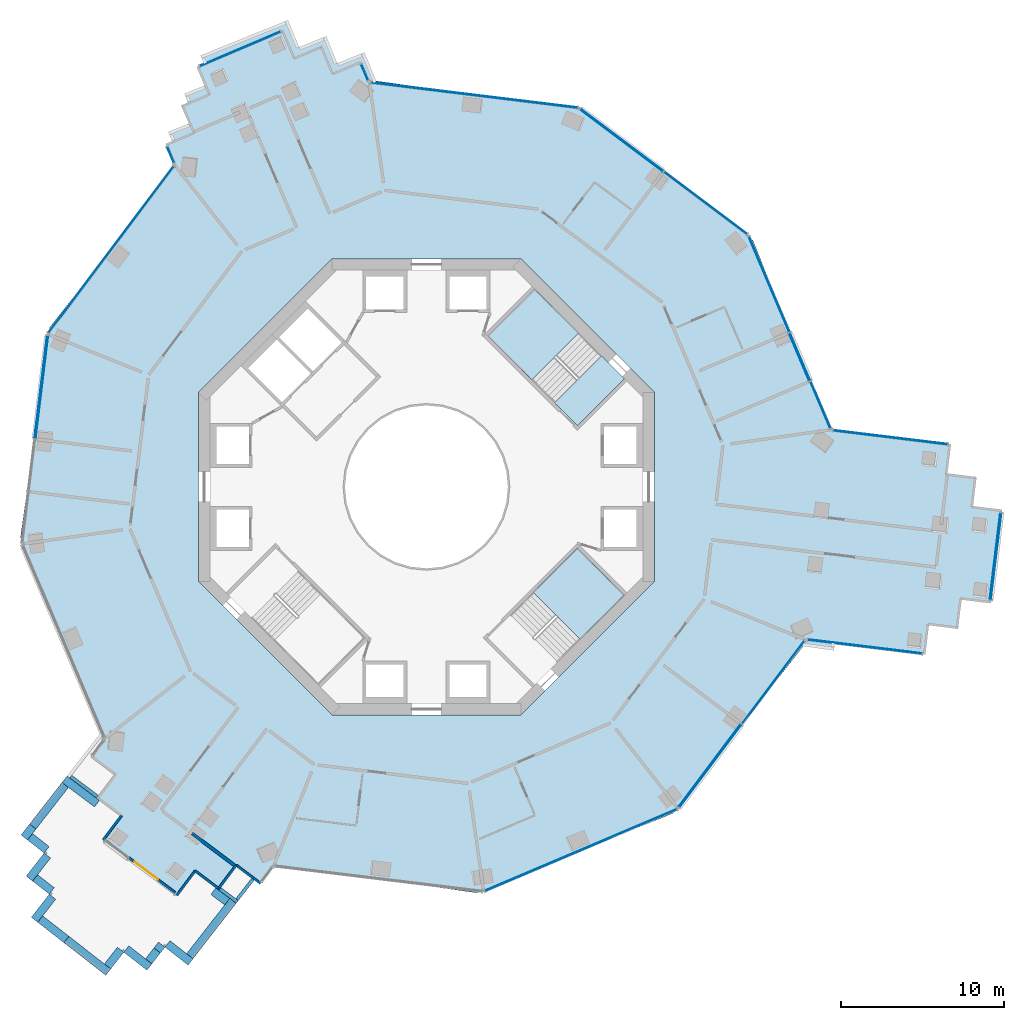
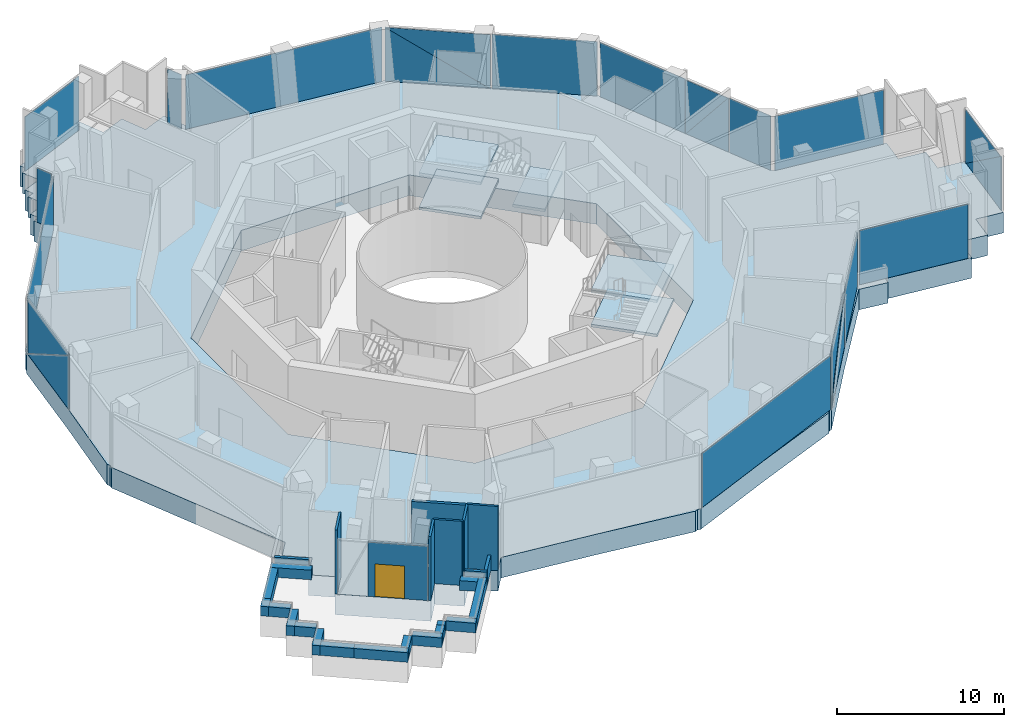
# One storey, part 7 of 17: 26 walls, 22 plates, 6 slabs, 1 door, 1 opening, 15 elements without a shape of their own.
"""IFC4 building model written with IfcOpenShell, lengths in metres."""

import ifcopenshell
import ifcopenshell.guid

model = None  # the IFC model being written
_history = None  # IfcOwnerHistory: only IFC2X3 demands one
_inside = {}  # id of a spatial element -> (the spatial element, [elements in it])
_under = {}  # id of a project, library or spatial element -> (it, [spatial elements below it])
_declared = {}  # id of a project -> (the project, [libraries it declares])
_typed = {}  # id of a type object -> (the type object, [elements of that type])
_made_of = {}  # id of a material, layer set ... -> (it, [elements and type objects made of it])


def new_model(schema):
    """Start an empty IFC model of exactly this schema.

    Asked for "IFC4X3", IfcOpenShell would pick the latest addendum, in which some entities
    have other attributes; the version numbers below select the first issue.
    IFC2X3 requires an IfcOwnerHistory on every rooted entity: one is made here for all.
    """
    global model, _history
    if schema == "IFC4X3":
        model = ifcopenshell.file(schema_version=(4, 3, 0, 0))
    else:
        model = ifcopenshell.file(schema=schema)
    _inside.clear()
    _under.clear()
    _declared.clear()
    _typed.clear()
    _made_of.clear()
    _history = None
    if model.schema == "IFC2X3":
        org = make("IfcOrganization", Name="unknown")
        user = make(
            "IfcPersonAndOrganization",
            ThePerson=make("IfcPerson", FamilyName="unknown"),
            TheOrganization=org,
        )
        app = make(
            "IfcApplication",
            ApplicationDeveloper=org,
            Version="unknown",
            ApplicationFullName="unknown",
            ApplicationIdentifier="unknown",
        )
        _history = make(
            "IfcOwnerHistory",
            OwningUser=user,
            OwningApplication=app,
            ChangeAction="ADDED",
            CreationDate=0,
        )
    return model


def make(cls, **values):
    """One entity of the class cls with the attributes given. An attribute that is None is left unset."""
    return model.create_entity(
        cls, **{name: value for name, value in values.items() if value is not None}
    )


def rooted(cls, **values):
    """An entity with a GlobalId (a new one), such as an element, a storey or a relation."""
    return make(cls, GlobalId=ifcopenshell.guid.new(), OwnerHistory=_history, **values)


def si_unit(unit_type, name, prefix=None):
    """IfcSIUnit, for example si_unit("LENGTHUNIT", "METRE", prefix="MILLI")."""
    return make("IfcSIUnit", UnitType=unit_type, Prefix=prefix, Name=name)


def assignment(units):
    """IfcUnitAssignment: the units of a project."""
    return None if units is None else make("IfcUnitAssignment", Units=units)


def point(xyz):
    """IfcCartesianPoint."""
    return None if xyz is None else make("IfcCartesianPoint", Coordinates=xyz)


def direction(xyz):
    """IfcDirection."""
    return None if xyz is None else make("IfcDirection", DirectionRatios=xyz)


def frame(location, z_axis=None, x_axis=None):
    """IfcAxis2Placement3D, a coordinate frame: its origin and axes. An axis left out is left unset."""
    return make(
        "IfcAxis2Placement3D",
        Location=point(location),
        Axis=direction(z_axis),
        RefDirection=direction(x_axis),
    )


def frame_2d(location, x_axis=None):
    """IfcAxis2Placement2D, a coordinate frame in the plane: its origin and x axis."""
    return make(
        "IfcAxis2Placement2D", Location=point(location), RefDirection=direction(x_axis)
    )


def origin():
    """The frame at (0, 0, 0) with its axes left unset."""
    return frame((0.0, 0.0, 0.0))


def origin_2d():
    """The frame at (0, 0) in the plane with its x axis left unset."""
    return frame_2d((0.0, 0.0))


def place(relative_to, where):
    """IfcLocalPlacement: puts the frame where relative to a parent placement (None: the world)."""
    return make(
        "IfcLocalPlacement", PlacementRelTo=relative_to, RelativePlacement=where
    )


def context(
    kind, dimensions, precision=None, world=None, true_north=None, identifier=None
):
    """IfcGeometricRepresentationContext, for example the 3D "Model" context."""
    return make(
        "IfcGeometricRepresentationContext",
        ContextIdentifier=identifier,
        ContextType=kind,
        CoordinateSpaceDimension=dimensions,
        Precision=precision,
        WorldCoordinateSystem=world,
        TrueNorth=true_north,
    )


def subcontext(parent, identifier, kind, view, scale=None):
    """IfcGeometricRepresentationSubContext, for example "Body" below "Model"."""
    return make(
        "IfcGeometricRepresentationSubContext",
        ContextIdentifier=identifier,
        ContextType=kind,
        ParentContext=parent,
        TargetScale=scale,
        TargetView=view,
    )


def project(units=None, contexts=None):
    """IfcProject with its units and contexts."""
    return rooted(
        "IfcProject",
        Name="project",
        RepresentationContexts=contexts,
        UnitsInContext=assignment(units),
    )


def spatial(cls, under=None, at=None, **own):
    """A site, building, storey or space (cls), placed at a placement, below another one or the project."""
    s = rooted(cls, ObjectPlacement=at, **own)
    if under is not None:
        _under.setdefault(under.id(), (under, []))[1].append(s)
    return s


def polyline(points):
    """IfcPolyline through the points."""
    return make("IfcPolyline", Points=[point(p) for p in points])


def profile(cls, at=None, kind="AREA", **sizes):
    """A parametric profile (cls). Its sizes go by their IFC names, for example OverallWidth=200.0."""
    return make(cls, ProfileType=kind, Position=at, **sizes)


def rectangle(**sizes):
    """IfcRectangleProfileDef."""
    return profile("IfcRectangleProfileDef", **sizes)


def outline(outer, holes=None, kind="AREA"):
    """IfcArbitraryClosedProfileDef: a profile drawn as a closed curve; with holes, ...WithVoids."""
    if holes is None:
        return make("IfcArbitraryClosedProfileDef", ProfileType=kind, OuterCurve=outer)
    return make(
        "IfcArbitraryProfileDefWithVoids",
        ProfileType=kind,
        OuterCurve=outer,
        InnerCurves=holes,
    )


def extrude(swept, where, along, depth):
    """IfcExtrudedAreaSolid: the profile swept, set in the frame where, extruded along a direction by depth."""
    return make(
        "IfcExtrudedAreaSolid",
        SweptArea=swept,
        Position=where,
        ExtrudedDirection=direction(along),
        Depth=depth,
    )


def shape(context_of_items, identifier, shape_type, items):
    """IfcShapeRepresentation: the items that make up one representation, for example the "Body"."""
    return make(
        "IfcShapeRepresentation",
        ContextOfItems=context_of_items,
        RepresentationIdentifier=identifier,
        RepresentationType=shape_type,
        Items=items,
    )


def material(Name=None, Category=None):
    """IfcMaterial."""
    return make("IfcMaterial", Name=Name, Category=Category)


def layer(
    of_material, thickness, ventilated=None, Name=None, Category=None, Priority=None
):
    """IfcMaterialLayer: one layer of a wall or slab, of a material (None: an air gap)."""
    return make(
        "IfcMaterialLayer",
        Material=of_material,
        LayerThickness=thickness,
        IsVentilated=ventilated,
        Name=Name,
        Category=Category,
        Priority=Priority,
    )


def layer_set(layers, Name=None):
    """IfcMaterialLayerSet."""
    return make("IfcMaterialLayerSet", MaterialLayers=layers, LayerSetName=Name)


def made_of(thing, what):
    """Note that an element or type object is made of a material, layer set ...; save() writes the relation."""
    if what is not None:
        _made_of.setdefault(what.id(), (what, []))[1].append(thing)
    return thing


def type_object(cls, material=None, **own):
    """A type object (cls), such as IfcWallType, which elements share."""
    return made_of(rooted(cls, **own), material)


def element(
    cls,
    number,
    at=None,
    inside=None,
    cuts=None,
    type_object=None,
    material=None,
    context=None,
    identifier="Body",
    shape_type=None,
    held_by="IfcProductDefinitionShape",
    body=None,
    shapes=None,
    **own,
):
    """One element of the class cls, such as IfcWall. Its Tag is "e" and its number.

    at: its placement. inside: the storey or other place that contains it. cuts: it is an
    opening in that element (IfcRelVoidsElement). A single representation is given by context,
    identifier, shape_type and body (its items); several are given by shapes. held_by: the class
    of the entity that holds the representations. save() writes the other relations.
    """
    e = rooted(cls, Tag="e%d" % number, ObjectPlacement=at, **own)
    if body is not None:
        shapes = [shape(context, identifier, shape_type, body)]
    if shapes is not None:
        e.Representation = make(held_by, Representations=shapes)
    if inside is not None:
        _inside.setdefault(inside.id(), (inside, []))[1].append(e)
    if cuts is not None:
        rooted(
            "IfcRelVoidsElement", RelatingBuildingElement=cuts, RelatedOpeningElement=e
        )
    if type_object is not None:
        _typed.setdefault(type_object.id(), (type_object, []))[1].append(e)
    return made_of(e, material)


def fill(opening, filler):
    """IfcRelFillsElement: the door or window that sits in an opening."""
    return rooted(
        "IfcRelFillsElement",
        RelatingOpeningElement=opening,
        RelatedBuildingElement=filler,
    )


def aggregate(whole, parts):
    """IfcRelAggregates: a whole, such as a stair, and the parts it consists of."""
    return rooted("IfcRelAggregates", RelatingObject=whole, RelatedObjects=parts)


def save(model, path):
    """Write the relations noted so far, then the file.

    IfcRelAggregates (storeys below a building ...), IfcRelContainedInSpatialStructure (elements
    in a storey), IfcRelDefinesByType, IfcRelAssociatesMaterial and IfcRelDeclares: one each for
    every whole, place, type object, material and project.
    """
    for whole, parts in _under.values():
        aggregate(whole, parts)
    for where, things in _inside.values():
        rooted(
            "IfcRelContainedInSpatialStructure",
            RelatedElements=things,
            RelatingStructure=where,
        )
    for kind, things in _typed.values():
        rooted("IfcRelDefinesByType", RelatedObjects=things, RelatingType=kind)
    for what, things in _made_of.values():
        rooted("IfcRelAssociatesMaterial", RelatedObjects=things, RelatingMaterial=what)
    for by, libraries in _declared.values():
        rooted("IfcRelDeclares", RelatingContext=by, RelatedDefinitions=libraries)
    model.write(path)


model = new_model("IFC4")

# Units and contexts
model_context = context("Model", 3, precision=1e-05, world=origin(), true_north=direction((0.0, 1.0)))
body_context = subcontext(model_context, "Body", "Model", "MODEL_VIEW")
ifc_project = project(units=[si_unit("LENGTHUNIT", "METRE"), si_unit("AREAUNIT", "SQUARE_METRE"), si_unit("VOLUMEUNIT", "CUBIC_METRE"), si_unit("PLANEANGLEUNIT", "RADIAN"), si_unit("MASSUNIT", "GRAM", prefix="KILO")], contexts=[model_context])

# Site, building, storey
site_placement = place(None, origin())
site = spatial("IfcSite", under=ifc_project, at=site_placement, CompositionType="ELEMENT")
building_placement = place(site_placement, origin())
building = spatial("IfcBuilding", under=site, at=building_placement, Name="Verdalira Terraces Hotel", CompositionType="ELEMENT")
storey_placement = place(building_placement, frame((0.0, 0.0, 128.0)))
storey = spatial("IfcBuildingStorey", under=building, at=storey_placement, Name="L30", CompositionType="ELEMENT", Elevation=128.0)

# Curtain wall, plate
ifc_material_1 = material(Name="Clear glass", Category="glass")
ifc_layer_1 = layer(ifc_material_1, 0.239990234375)
ifc_layer_set_1 = layer_set([ifc_layer_1], Name="CW5 curtain wall")
curtain_wall_type = type_object("IfcCurtainWallType", Name="CW5 curtain wall", PredefinedType="NOTDEFINED", material=ifc_layer_set_1)
curtain_wall_1_placement = place(storey_placement, origin())
curtain_wall_1 = element("IfcCurtainWall", 1, at=curtain_wall_1_placement, inside=storey, type_object=curtain_wall_type, Name="CW5 curtain wall L30 edge 0", PredefinedType="NOTDEFINED")
ifc_material_2 = material(Name="Clear glass", Category="glass")
ifc_layer_2 = layer(ifc_material_2, 0.0439453125)
ifc_layer_set_2 = layer_set([ifc_layer_2], Name="CW5 glass unit 44")
plate_type = type_object("IfcPlateType", Name="CW5 glass unit 44", PredefinedType="CURTAIN_PANEL", material=ifc_layer_set_2)
plate_1_placement = place(storey_placement, frame((-3.793213, 25.450684, 0.0), z_axis=(0.0, 0.0, 1.0), x_axis=(-0.391373667, 0.920231847, 0.0)))
plate_1 = element("IfcPlate", 2, at=plate_1_placement, type_object=plate_type, Name="CW5 glass unit", PredefinedType="CURTAIN_PANEL", context=body_context, shape_type="SweptSolid", body=[
    extrude(rectangle(XDim=1.049805, YDim=0.043945, at=origin_2d()), origin(), (0.0, 0.0, 1.0), 3.965088),
])
aggregate(curtain_wall_1, [plate_1])

curtain_wall_2_placement = place(storey_placement, origin())
curtain_wall_2 = element("IfcCurtainWall", 3, at=curtain_wall_2_placement, inside=storey, type_object=curtain_wall_type, Name="CW5 curtain wall L30 edge 5", PredefinedType="NOTDEFINED")
plate_2_placement = place(storey_placement, frame((-11.436035, 26.88916, 0.0), z_axis=(0.0, 0.0, 1.0), x_axis=(-0.920231847, -0.391373667, 0.0)))
plate_2 = element("IfcPlate", 4, at=plate_2_placement, type_object=plate_type, Name="CW5 glass unit", PredefinedType="CURTAIN_PANEL", context=body_context, shape_type="SweptSolid", body=[
    extrude(rectangle(XDim=5.360107, YDim=0.043945, at=origin_2d()), origin(), (0.0, 0.0, 1.0), 3.965088),
])
aggregate(curtain_wall_2, [plate_2])

curtain_wall_3_placement = place(storey_placement, origin())
curtain_wall_3 = element("IfcCurtainWall", 5, at=curtain_wall_3_placement, inside=storey, type_object=curtain_wall_type, Name="CW5 curtain wall L30 edge 10", PredefinedType="NOTDEFINED")
plate_3_placement = place(storey_placement, frame((-15.701172, 20.38623, 0.0), z_axis=(0.0, 0.0, 1.0), x_axis=(0.391373667, -0.920231847, 0.0)))
plate_3 = element("IfcPlate", 6, at=plate_3_placement, type_object=plate_type, Name="CW5 glass unit", PredefinedType="CURTAIN_PANEL", context=body_context, shape_type="SweptSolid", body=[
    extrude(rectangle(XDim=1.049805, YDim=0.043945, at=origin_2d()), origin(), (0.0, 0.0, 1.0), 3.965088),
])
aggregate(curtain_wall_3, [plate_3])

curtain_wall_4_placement = place(storey_placement, origin())
curtain_wall_4 = element("IfcCurtainWall", 7, at=curtain_wall_4_placement, inside=storey, type_object=curtain_wall_type, Name="CW5 curtain wall L30 edge 11", PredefinedType="NOTDEFINED")
plate_4_placement = place(storey_placement, frame((-19.363281, 14.562744, 0.0), z_axis=(0.0, 0.0, 1.0), x_axis=(-0.601257324, -0.799055462, 0.0)))
plate_4 = element("IfcPlate", 8, at=plate_4_placement, type_object=plate_type, Name="CW5 glass unit", PredefinedType="CURTAIN_PANEL", context=body_context, shape_type="SweptSolid", body=[
    extrude(rectangle(XDim=12.767822, YDim=0.043945, at=origin_2d()), origin(), (0.0, 0.0, 1.0), 3.965088),
])
aggregate(curtain_wall_4, [plate_4])

# Curtain wall, plates
curtain_wall_5_placement = place(storey_placement, origin())
curtain_wall_5 = element("IfcCurtainWall", 9, at=curtain_wall_5_placement, inside=storey, type_object=curtain_wall_type, Name="CW5 curtain wall L30 edge 12", PredefinedType="NOTDEFINED")
plate_5_placement = place(storey_placement, frame((-23.638916, 6.121826, 1.982422), z_axis=(-0.992630991, 0.121176386, 0.0), x_axis=(-0.121176386, -0.992630991, 0.0)))
plate_5 = element("IfcPlate", 10, at=plate_5_placement, type_object=plate_type, Name="CW5 glass unit", PredefinedType="CURTAIN_PANEL", context=body_context, shape_type="SweptSolid", body=[
    extrude(outline(polyline([(-3.177246, -1.982422), (3.177246, -1.982422), (3.177246, 1.982422), (-3.177246, -1.982422)])), origin(), (0.0, 0.0, 1.0), 0.043945),
])
plate_6_placement = place(storey_placement, frame((-23.594238, 6.116455, 1.982422), z_axis=(-0.992630991, 0.121176386, 0.0), x_axis=(-0.121176386, -0.992630991, 0.0)))
plate_6 = element("IfcPlate", 11, at=plate_6_placement, type_object=plate_type, Name="CW5 glass unit", PredefinedType="CURTAIN_PANEL", context=body_context, shape_type="SweptSolid", body=[
    extrude(outline(polyline([(-3.177246, -1.982422), (3.177246, 1.982422), (-3.177246, 1.982422), (-3.177246, -1.982422)])), origin(), (0.0, 0.0, 1.0), 0.043945),
])
aggregate(curtain_wall_5, [plate_5, plate_6])

# Curtain wall, plate
curtain_wall_6_placement = place(storey_placement, origin())
curtain_wall_6 = element("IfcCurtainWall", 12, at=curtain_wall_6_placement, inside=storey, type_object=curtain_wall_type, Name="CW5 curtain wall L30 edge 26", PredefinedType="NOTDEFINED")
plate_7_placement = place(storey_placement, frame((9.482422, -22.295654, 0.0), z_axis=(0.0, 0.0, 1.0), x_axis=(0.920231847, 0.391373667, 0.0)))
plate_7 = element("IfcPlate", 13, at=plate_7_placement, type_object=plate_type, Name="CW5 glass unit", PredefinedType="CURTAIN_PANEL", context=body_context, shape_type="SweptSolid", body=[
    extrude(rectangle(XDim=12.779541, YDim=0.043945, at=origin_2d()), origin(), (0.0, 0.0, 1.0), 3.965088),
])
aggregate(curtain_wall_6, [plate_7])

# Curtain wall, plates
curtain_wall_7_placement = place(storey_placement, origin())
curtain_wall_7 = element("IfcCurtainWall", 14, at=curtain_wall_7_placement, inside=storey, type_object=curtain_wall_type, Name="CW5 curtain wall L30 edge 27", PredefinedType="NOTDEFINED")
plate_8_placement = place(storey_placement, frame((17.410645, -17.121094, 1.982422), z_axis=(0.799055462, -0.601257324, 0.0), x_axis=(0.601257324, 0.799055462, 0.0)))
plate_8 = element("IfcPlate", 15, at=plate_8_placement, type_object=plate_type, Name="CW5 glass unit", PredefinedType="CURTAIN_PANEL", context=body_context, shape_type="SweptSolid", body=[
    extrude(outline(polyline([(-3.177246, -1.982422), (3.177246, -1.982422), (3.177246, 1.982422), (-3.177246, -1.982422)])), origin(), (0.0, 0.0, 1.0), 0.043945),
])
plate_9_placement = place(storey_placement, frame((17.374756, -17.093994, 1.982422), z_axis=(0.799055462, -0.601257324, 0.0), x_axis=(0.601257324, 0.799055462, 0.0)))
plate_9 = element("IfcPlate", 16, at=plate_9_placement, type_object=plate_type, Name="CW5 glass unit", PredefinedType="CURTAIN_PANEL", context=body_context, shape_type="SweptSolid", body=[
    extrude(outline(polyline([(-3.177246, -1.982422), (3.177246, 1.982422), (-3.177246, 1.982422), (-3.177246, -1.982422)])), origin(), (0.0, 0.0, 1.0), 0.043945),
])
plate_10_placement = place(storey_placement, frame((21.287842, -12.005371, 0.0), z_axis=(0.0, 0.0, 1.0), x_axis=(0.601257324, 0.799055462, 0.0)))
plate_10 = element("IfcPlate", 17, at=plate_10_placement, type_object=plate_type, Name="CW5 glass unit", PredefinedType="CURTAIN_PANEL", context=body_context, shape_type="SweptSolid", body=[
    extrude(rectangle(XDim=6.343018, YDim=0.043945, at=origin_2d()), origin(), (0.0, 0.0, 1.0), 3.965088),
])
aggregate(curtain_wall_7, [plate_8, plate_9, plate_10])

# Curtain wall, plate
curtain_wall_8_placement = place(storey_placement, origin())
curtain_wall_8 = element("IfcCurtainWall", 18, at=curtain_wall_8_placement, inside=storey, type_object=curtain_wall_type, Name="CW5 curtain wall L30 edge 28", PredefinedType="NOTDEFINED")
plate_11_placement = place(storey_placement, frame((26.915527, -9.803711, 0.0), z_axis=(0.0, 0.0, 1.0), x_axis=(0.992630991, -0.121176386, 0.0)))
plate_11 = element("IfcPlate", 19, at=plate_11_placement, type_object=plate_type, Name="CW5 glass unit", PredefinedType="CURTAIN_PANEL", context=body_context, shape_type="SweptSolid", body=[
    extrude(rectangle(XDim=7.049805, YDim=0.043945, at=origin_2d()), origin(), (0.0, 0.0, 1.0), 3.965088),
])
aggregate(curtain_wall_8, [plate_11])

# Curtain wall, plates
curtain_wall_9_placement = place(storey_placement, origin())
curtain_wall_9 = element("IfcCurtainWall", 20, at=curtain_wall_9_placement, inside=storey, type_object=curtain_wall_type, Name="CW5 curtain wall L30 edge 33", PredefinedType="NOTDEFINED")
plate_12_placement = place(storey_placement, frame((34.938721, -4.265137, 1.982422), z_axis=(0.992630991, -0.121176386, 0.0), x_axis=(0.121176386, 0.992630991, 0.0)))
plate_12 = element("IfcPlate", 21, at=plate_12_placement, type_object=plate_type, Name="CW5 glass unit", PredefinedType="CURTAIN_PANEL", context=body_context, shape_type="SweptSolid", body=[
    extrude(outline(polyline([(-2.680176, -1.982422), (2.680176, -1.982422), (-2.680176, 1.982422), (-2.680176, -1.982422)])), origin(), (0.0, 0.0, 1.0), 0.043945),
])
plate_13_placement = place(storey_placement, frame((34.894043, -4.259766, 1.982422), z_axis=(0.992630991, -0.121176386, 0.0), x_axis=(0.121176386, 0.992630991, 0.0)))
plate_13 = element("IfcPlate", 22, at=plate_13_placement, type_object=plate_type, Name="CW5 glass unit", PredefinedType="CURTAIN_PANEL", context=body_context, shape_type="SweptSolid", body=[
    extrude(outline(polyline([(2.680176, -1.982422), (2.680176, 1.982422), (-2.680176, 1.982422), (2.680176, -1.982422)])), origin(), (0.0, 0.0, 1.0), 0.043945),
])
aggregate(curtain_wall_9, [plate_12, plate_13])

# Curtain wall, plate
curtain_wall_10_placement = place(storey_placement, origin())
curtain_wall_10 = element("IfcCurtainWall", 23, at=curtain_wall_10_placement, inside=storey, type_object=curtain_wall_type, Name="CW5 curtain wall L30 edge 38", PredefinedType="NOTDEFINED")
plate_14_placement = place(storey_placement, frame((28.483643, 3.040771, 0.0), z_axis=(0.0, 0.0, 1.0), x_axis=(-0.992630991, 0.121176386, 0.0)))
plate_14 = element("IfcPlate", 24, at=plate_14_placement, type_object=plate_type, Name="CW5 glass unit", PredefinedType="CURTAIN_PANEL", context=body_context, shape_type="SweptSolid", body=[
    extrude(rectangle(XDim=7.049805, YDim=0.043945, at=origin_2d()), origin(), (0.0, 0.0, 1.0), 3.965088),
])
aggregate(curtain_wall_10, [plate_14])

# Curtain wall, plates
curtain_wall_11_placement = place(storey_placement, origin())
curtain_wall_11 = element("IfcCurtainWall", 25, at=curtain_wall_11_placement, inside=storey, type_object=curtain_wall_type, Name="CW5 curtain wall L30 edge 39", PredefinedType="NOTDEFINED")
plate_15_placement = place(storey_placement, frame((24.186523, 5.036133, 0.0), z_axis=(0.0, 0.0, 1.0), x_axis=(-0.391373667, 0.920231847, 0.0)))
plate_15 = element("IfcPlate", 26, at=plate_15_placement, type_object=plate_type, Name="CW5 glass unit", PredefinedType="CURTAIN_PANEL", context=body_context, shape_type="SweptSolid", body=[
    extrude(rectangle(XDim=3.093018, YDim=0.043945, at=origin_2d()), origin(), (0.0, 0.0, 1.0), 3.965088),
])
plate_16_placement = place(storey_placement, frame((22.911377, 7.978516, 1.982422), z_axis=(0.920231847, 0.391373667, 0.0), x_axis=(-0.391373667, 0.920231847, 0.0)))
plate_16 = element("IfcPlate", 27, at=plate_16_placement, type_object=plate_type, Name="CW5 glass unit", PredefinedType="CURTAIN_PANEL", context=body_context, shape_type="SweptSolid", body=[
    extrude(outline(polyline([(-1.589844, -1.982422), (1.589844, -1.982422), (-1.589844, 1.982422), (-1.589844, -1.982422)])), origin(), (0.0, 0.0, 1.0), 0.043945),
])
plate_17_placement = place(storey_placement, frame((22.870117, 7.960938, 1.982422), z_axis=(0.920231847, 0.391373667, 0.0), x_axis=(-0.391373667, 0.920231847, 0.0)))
plate_17 = element("IfcPlate", 28, at=plate_17_placement, type_object=plate_type, Name="CW5 glass unit", PredefinedType="CURTAIN_PANEL", context=body_context, shape_type="SweptSolid", body=[
    extrude(outline(polyline([(1.589844, -1.982422), (1.589844, 1.982422), (-1.589844, 1.982422), (1.589844, -1.982422)])), origin(), (0.0, 0.0, 1.0), 0.043945),
])
plate_18_placement = place(storey_placement, frame((21.03833, 12.438477, 0.0), z_axis=(0.0, 0.0, 1.0), x_axis=(-0.391373667, 0.920231847, 0.0)))
plate_18 = element("IfcPlate", 29, at=plate_18_placement, type_object=plate_type, Name="CW5 glass unit", PredefinedType="CURTAIN_PANEL", context=body_context, shape_type="SweptSolid", body=[
    extrude(rectangle(XDim=6.354736, YDim=0.043945, at=origin_2d()), origin(), (0.0, 0.0, 1.0), 3.965088),
])
aggregate(curtain_wall_11, [plate_15, plate_16, plate_17, plate_18])

curtain_wall_12_placement = place(storey_placement, origin())
curtain_wall_12 = element("IfcCurtainWall", 30, at=curtain_wall_12_placement, inside=storey, type_object=curtain_wall_type, Name="CW5 curtain wall L30 edge 40", PredefinedType="NOTDEFINED")
plate_19_placement = place(storey_placement, frame((17.134277, 17.428223, 0.0), z_axis=(0.0, 0.0, 1.0), x_axis=(-0.799055462, 0.601257324, 0.0)))
plate_19 = element("IfcPlate", 31, at=plate_19_placement, type_object=plate_type, Name="CW5 glass unit", PredefinedType="CURTAIN_PANEL", context=body_context, shape_type="SweptSolid", body=[
    extrude(rectangle(XDim=6.354736, YDim=0.043945, at=origin_2d()), origin(), (0.0, 0.0, 1.0), 3.965088),
])
plate_20_placement = place(storey_placement, frame((11.987305, 21.273682, 1.982422), z_axis=(0.601257324, 0.799055462, 0.0), x_axis=(-0.799055462, 0.601257324, 0.0)))
plate_20 = element("IfcPlate", 32, at=plate_20_placement, type_object=plate_type, Name="CW5 glass unit", PredefinedType="CURTAIN_PANEL", context=body_context, shape_type="SweptSolid", body=[
    extrude(outline(polyline([(-3.177246, -1.982422), (3.177246, -1.982422), (3.177246, 1.982422), (-3.177246, -1.982422)])), origin(), (0.0, 0.0, 1.0), 0.043945),
])
plate_21_placement = place(storey_placement, frame((11.960205, 21.237793, 1.982422), z_axis=(0.601257324, 0.799055462, 0.0), x_axis=(-0.799055462, 0.601257324, 0.0)))
plate_21 = element("IfcPlate", 33, at=plate_21_placement, type_object=plate_type, Name="CW5 glass unit", PredefinedType="CURTAIN_PANEL", context=body_context, shape_type="SweptSolid", body=[
    extrude(outline(polyline([(-3.177246, -1.982422), (3.177246, 1.982422), (-3.177246, 1.982422), (-3.177246, -1.982422)])), origin(), (0.0, 0.0, 1.0), 0.043945),
])
aggregate(curtain_wall_12, [plate_19, plate_20, plate_21])

# Curtain wall, plate
curtain_wall_13_placement = place(storey_placement, origin())
curtain_wall_13 = element("IfcCurtainWall", 34, at=curtain_wall_13_placement, inside=storey, type_object=curtain_wall_type, Name="CW5 curtain wall L30 edge 41", PredefinedType="NOTDEFINED")
plate_22_placement = place(storey_placement, frame((2.94165, 24.049072, 0.0), z_axis=(0.0, 0.0, 1.0), x_axis=(-0.992630991, 0.121176386, 0.0)))
plate_22 = element("IfcPlate", 35, at=plate_22_placement, type_object=plate_type, Name="CW5 glass unit", PredefinedType="CURTAIN_PANEL", context=body_context, shape_type="SweptSolid", body=[
    extrude(rectangle(XDim=12.767822, YDim=0.043945, at=origin_2d()), origin(), (0.0, 0.0, 1.0), 3.965088),
])
aggregate(curtain_wall_13, [plate_22])

# Stair, slabs
ifc_material_3 = material(Name="Concrete C40", Category="concrete")
stair_type = type_object("IfcStairType", Name="Core stair 32 risers 2000 mm wide", PredefinedType="HALF_TURN_STAIR", material=ifc_material_3)
stair_1_placement = place(storey_placement, origin())
stair_1 = element("IfcStair", 36, at=stair_1_placement, inside=storey, type_object=stair_type, Name="L30 Exit stair ST1", PredefinedType="HALF_TURN_STAIR")
ifc_material_4 = material(Name="Concrete C40", Category="concrete")
ifc_layer_3 = layer(ifc_material_4, 0.199951171875)
ifc_layer_set_3 = layer_set([ifc_layer_3], Name="Core stair landing 200 mm")
slab_type_1 = type_object("IfcSlabType", Name="Core stair landing 200 mm", PredefinedType="LANDING", material=ifc_layer_set_3)
slab_1_placement = place(storey_placement, frame((0.0, 0.0, 1.050049)))
slab_1 = element("IfcSlab", 37, at=slab_1_placement, type_object=slab_type_1, Name="ST1 landing 1", PredefinedType="LANDING", context=body_context, shape_type="SweptSolid", body=[
    extrude(outline(polyline([(9.362549, 9.446533), (6.646729, 12.162354), (3.747559, 9.263184), (6.463379, 6.547363), (9.362549, 9.446533)])), origin(), (0.0, 0.0, 1.0), 0.199951),
])
slab_2_placement = place(storey_placement, frame((0.0, 0.0, 2.300049)))
slab_2 = element("IfcSlab", 38, at=slab_2_placement, type_object=slab_type_1, Name="ST1 landing 2", PredefinedType="LANDING", context=body_context, shape_type="SweptSolid", body=[
    extrude(outline(polyline([(12.162354, 6.646729), (10.747559, 8.061279), (7.848633, 5.162354), (9.263184, 3.747559), (12.162354, 6.646729)])), origin(), (0.0, 0.0, 1.0), 0.199951),
])
slab_3_placement = place(storey_placement, frame((0.0, 0.0, 3.550049)))
slab_3 = element("IfcSlab", 39, at=slab_3_placement, type_object=slab_type_1, Name="ST1 landing 3", PredefinedType="LANDING", context=body_context, shape_type="SweptSolid", body=[
    extrude(outline(polyline([(9.362549, 9.446533), (6.646729, 12.162354), (3.747559, 9.263184), (6.463379, 6.547363), (9.362549, 9.446533)])), origin(), (0.0, 0.0, 1.0), 0.199951),
])
aggregate(stair_1, [slab_1, slab_2, slab_3])

stair_2_placement = place(storey_placement, origin())
stair_2 = element("IfcStair", 40, at=stair_2_placement, inside=storey, type_object=stair_type, Name="L30 Exit stair ST3", PredefinedType="HALF_TURN_STAIR")
slab_4_placement = place(storey_placement, frame((0.0, 0.0, 1.050049)))
slab_4 = element("IfcSlab", 41, at=slab_4_placement, type_object=slab_type_1, Name="ST3 landing 1", PredefinedType="LANDING", context=body_context, shape_type="SweptSolid", body=[
    extrude(outline(polyline([(9.446533, -9.362549), (12.162354, -6.646729), (9.263184, -3.747559), (6.547363, -6.463379), (9.446533, -9.362549)])), origin(), (0.0, 0.0, 1.0), 0.199951),
])
slab_5_placement = place(storey_placement, frame((0.0, 0.0, 3.550049)))
slab_5 = element("IfcSlab", 42, at=slab_5_placement, type_object=slab_type_1, Name="ST3 landing 3", PredefinedType="LANDING", context=body_context, shape_type="SweptSolid", body=[
    extrude(outline(polyline([(9.446533, -9.362549), (12.162354, -6.646729), (9.263184, -3.747559), (6.547363, -6.463379), (9.446533, -9.362549)])), origin(), (0.0, 0.0, 1.0), 0.199951),
])
aggregate(stair_2, [slab_4, slab_5])

# Slab
ifc_material_5 = material(Name="Concrete C60", Category="concrete")
ifc_layer_4 = layer(ifc_material_5, 1.5)
ifc_layer_set_4 = layer_set([ifc_layer_4], Name="Transfer slab 1500 C60")
slab_type_2 = type_object("IfcSlabType", Name="Transfer slab 1500 C60", PredefinedType="FLOOR", material=ifc_layer_set_4)
slab_6_placement = place(storey_placement, frame((0.0, 0.0, -1.5)))
element("IfcSlab", 43, at=slab_6_placement, inside=storey, type_object=slab_type_2, Name="Transfer slab TS-30", PredefinedType="FLOOR", context=body_context, shape_type="SweptSolid", body=[
    extrude(outline(polyline([(-7.820312, 26.99292), (-8.496826, 28.660889), (-13.871582, 26.480713), (-13.665771, 25.973389), (-14.116455, 25.781738), (-13.629395, 24.636719), (-14.862793, 24.13623), (-14.645508, 23.600586), (-15.068359, 23.420898), (-14.593018, 22.303223), (-15.854248, 21.791504), (-15.625488, 21.227783), (-16.020264, 21.060059), (-15.475586, 19.779297), (-19.261719, 14.747803), (-23.131348, 9.780518), (-23.161377, 9.565186), (-23.291992, 9.391602), (-24.054932, 3.141357), (-24.922607, -3.095459), (-24.84082, -3.296875), (-24.867188, -3.512695), (-22.403809, -9.304688), (-22.40332, -9.304688), (-19.778809, -15.475586), (-20.615479, -16.587402), (-19.177002, -17.669922), (-20.259521, -19.108154), (-18.821045, -20.190186), (-19.90332, -21.628662), (-15.269531, -25.115234), (-14.1875, -23.677002), (-12.749023, -24.759277), (-11.666748, -23.321045), (-10.570312, -24.145996), (-10.570801, -24.146484), (-10.228516, -24.403809), (-9.391602, -23.291992), (-3.141357, -24.054932), (3.095459, -24.922607), (3.296875, -24.84082), (3.512695, -24.867188), (9.307129, -22.402832), (15.14209, -20.035889), (15.275635, -19.864502), (15.475586, -19.779297), (19.261719, -14.747803), (23.131348, -9.780518), (25.007812, -10.041504), (25.068115, -9.608398), (30.62915, -10.287354), (30.847168, -8.500488), (32.634033, -8.71875), (32.852051, -6.931885), (34.638916, -7.150146), (35.341797, -1.392822), (33.554932, -1.174805), (33.772949, 0.612061), (31.986328, 0.830078), (32.204346, 2.616943), (24.867188, 3.512695), (22.402832, 9.307129), (20.035889, 15.14209), (19.864502, 15.275635), (19.779297, 15.475586), (14.747803, 19.261719), (9.780518, 23.131348), (9.565186, 23.161377), (9.391602, 23.291992), (3.141357, 24.054932), (-3.095459, 24.922607), (-3.807617, 26.678223), (-5.475586, 26.001709), (-6.1521, 27.669678), (-7.820312, 26.99292)]), holes=[polyline([(5.799072, 14.0), (14.0, 5.799072), (14.0, -5.799072), (5.799072, -14.0), (-5.799072, -14.0), (-14.0, -5.799072), (-14.0, 5.799072), (-5.799072, 14.0), (5.799072, 14.0)])]), origin(), (0.0, 0.0, 1.0), 1.5),
])

# Walls
ifc_material_6 = material(Name="Concrete C40", Category="concrete")
ifc_layer_5 = layer(ifc_material_6, 0.5)
ifc_layer_set_5 = layer_set([ifc_layer_5], Name="Balcony planter trough with tree")
wall_type_1 = type_object("IfcWallType", Name="Balcony planter trough with tree", PredefinedType="SOLIDWALL", material=ifc_layer_set_5)
wall_1_placement = place(storey_placement, frame((-20.226807, -19.446045, 0.0), z_axis=(0.0, 0.0, 1.0), x_axis=(-0.799058025, 0.601253917, 0.0)))
element("IfcWall", 44, at=wall_1_placement, inside=storey, type_object=wall_type_1, Name="Balcony planter", PredefinedType="SOLIDWALL", context=body_context, shape_type="SweptSolid", body=[
    extrude(rectangle(XDim=2.490723, YDim=0.5, at=frame_2d((1.245361, 0.0))), origin(), (0.0, 0.0, 1.0), 0.699951),
])
wall_2_placement = place(storey_placement, frame((-22.176758, -18.296875, 0.0), z_axis=(0.0, 0.0, 1.0), x_axis=(-0.614573266, -0.788859747, 0.0)))
element("IfcWall", 45, at=wall_2_placement, inside=storey, type_object=wall_type_1, Name="Balcony planter", PredefinedType="SOLIDWALL", context=body_context, shape_type="SweptSolid", body=[
    extrude(rectangle(XDim=3.231689, YDim=0.5, at=frame_2d((1.615723, 0.0))), origin(), (0.0, 0.0, 1.0), 0.699951),
])
wall_3_placement = place(storey_placement, frame((-24.162842, -20.846191, 0.0), z_axis=(0.0, 0.0, 1.0), x_axis=(-0.614550759, -0.788877281, 0.0)))
element("IfcWall", 46, at=wall_3_placement, inside=storey, type_object=wall_type_1, Name="Balcony planter", PredefinedType="SOLIDWALL", context=body_context, shape_type="SweptSolid", body=[
    extrude(rectangle(XDim=0.858398, YDim=0.5, at=frame_2d((0.429199, 0.0))), origin(), (0.0, 0.0, 1.0), 0.699951),
])
wall_4_placement = place(storey_placement, frame((-24.3396, -21.47998, 0.0), z_axis=(0.0, 0.0, 1.0), x_axis=(0.788937438, -0.61447353, 0.0)))
element("IfcWall", 47, at=wall_4_placement, inside=storey, type_object=wall_type_1, Name="Balcony planter", PredefinedType="SOLIDWALL", context=body_context, shape_type="SweptSolid", body=[
    extrude(rectangle(XDim=1.300049, YDim=0.5, at=frame_2d((0.649902, 0.0))), origin(), (0.0, 0.0, 1.0), 0.699951),
])
wall_5_placement = place(storey_placement, frame((-23.270508, -22.629639, 0.0), z_axis=(0.0, 0.0, 1.0), x_axis=(-0.614569564, -0.788862631, 0.0)))
element("IfcWall", 48, at=wall_5_placement, inside=storey, type_object=wall_type_1, Name="Balcony planter", PredefinedType="SOLIDWALL", context=body_context, shape_type="SweptSolid", body=[
    extrude(rectangle(XDim=1.800049, YDim=0.5, at=frame_2d((0.899902, 0.0))), origin(), (0.0, 0.0, 1.0), 0.699951),
])
wall_6_placement = place(storey_placement, frame((-24.025879, -24.006104, 0.0), z_axis=(0.0, 0.0, 1.0), x_axis=(0.788937438, -0.61447353, 0.0)))
element("IfcWall", 49, at=wall_6_placement, inside=storey, type_object=wall_type_1, Name="Balcony planter", PredefinedType="SOLIDWALL", context=body_context, shape_type="SweptSolid", body=[
    extrude(rectangle(XDim=1.300049, YDim=0.5, at=frame_2d((0.649902, 0.0))), origin(), (0.0, 0.0, 1.0), 0.699951),
])
wall_7_placement = place(storey_placement, frame((-22.956787, -25.156006, 0.0), z_axis=(0.0, 0.0, 1.0), x_axis=(-0.614569564, -0.788862631, 0.0)))
element("IfcWall", 50, at=wall_7_placement, inside=storey, type_object=wall_type_1, Name="Balcony planter", PredefinedType="SOLIDWALL", context=body_context, shape_type="SweptSolid", body=[
    extrude(rectangle(XDim=1.800049, YDim=0.5, at=frame_2d((0.899902, 0.0))), origin(), (0.0, 0.0, 1.0), 0.699951),
])
wall_8_placement = place(storey_placement, frame((-23.711914, -26.532227, 0.0), z_axis=(0.0, 0.0, 1.0), x_axis=(0.788849272, -0.614586711, 0.0)))
element("IfcWall", 51, at=wall_8_placement, inside=storey, type_object=wall_type_1, Name="Balcony planter", PredefinedType="SOLIDWALL", context=body_context, shape_type="SweptSolid", body=[
    extrude(rectangle(XDim=2.039795, YDim=0.5, at=frame_2d((1.02002, 0.0))), origin(), (0.0, 0.0, 1.0), 0.699951),
])
wall_9_placement = place(storey_placement, frame((-22.102783, -27.785889, 0.0), z_axis=(0.0, 0.0, 1.0), x_axis=(0.788847912, -0.614588458, 0.0)))
element("IfcWall", 52, at=wall_9_placement, inside=storey, type_object=wall_type_1, Name="Balcony planter", PredefinedType="SOLIDWALL", context=body_context, shape_type="SweptSolid", body=[
    extrude(rectangle(XDim=3.260254, YDim=0.5, at=frame_2d((1.630127, 0.0))), origin(), (0.0, 0.0, 1.0), 0.699951),
])
wall_10_placement = place(storey_placement, frame((-19.574707, -29.438477, 0.0), z_axis=(0.0, 0.0, 1.0), x_axis=(0.614681445, 0.788775457, 0.0)))
element("IfcWall", 53, at=wall_10_placement, inside=storey, type_object=wall_type_1, Name="Balcony planter", PredefinedType="SOLIDWALL", context=body_context, shape_type="SweptSolid", body=[
    extrude(rectangle(XDim=1.300049, YDim=0.5, at=frame_2d((0.649902, 0.0))), origin(), (0.0, 0.0, 1.0), 0.699951),
])
wall_11_placement = place(storey_placement, frame((-18.424805, -28.369385, 0.0), z_axis=(0.0, 0.0, 1.0), x_axis=(0.788862631, -0.614569564, 0.0)))
element("IfcWall", 54, at=wall_11_placement, inside=storey, type_object=wall_type_1, Name="Balcony planter", PredefinedType="SOLIDWALL", context=body_context, shape_type="SweptSolid", body=[
    extrude(rectangle(XDim=1.800049, YDim=0.5, at=frame_2d((0.899902, 0.0))), origin(), (0.0, 0.0, 1.0), 0.699951),
])
wall_12_placement = place(storey_placement, frame((-17.04834, -29.124756, 0.0), z_axis=(0.0, 0.0, 1.0), x_axis=(0.614579628, 0.78885479, 0.0)))
element("IfcWall", 55, at=wall_12_placement, inside=storey, type_object=wall_type_1, Name="Balcony planter", PredefinedType="SOLIDWALL", context=body_context, shape_type="SweptSolid", body=[
    extrude(rectangle(XDim=0.846191, YDim=0.5, at=frame_2d((0.423096, 0.0))), origin(), (0.0, 0.0, 1.0), 0.699951),
])
wall_13_placement = place(storey_placement, frame((-16.52832, -28.457275, 0.0), z_axis=(0.0, 0.0, 1.0), x_axis=(0.614536513, 0.788888379, 0.0)))
element("IfcWall", 56, at=wall_13_placement, inside=storey, type_object=wall_type_1, Name="Balcony planter", PredefinedType="SOLIDWALL", context=body_context, shape_type="SweptSolid", body=[
    extrude(rectangle(XDim=0.453613, YDim=0.5, at=frame_2d((0.226807, 0.0))), origin(), (0.0, 0.0, 1.0), 0.699951),
])
wall_14_placement = place(storey_placement, frame((-15.898682, -28.055664, 0.0), z_axis=(0.0, 0.0, 1.0), x_axis=(0.788862631, -0.614569564, 0.0)))
element("IfcWall", 57, at=wall_14_placement, inside=storey, type_object=wall_type_1, Name="Balcony planter", PredefinedType="SOLIDWALL", context=body_context, shape_type="SweptSolid", body=[
    extrude(rectangle(XDim=1.800049, YDim=0.5, at=frame_2d((0.899902, 0.0))), origin(), (0.0, 0.0, 1.0), 0.699951),
])
wall_15_placement = place(storey_placement, frame((-14.522217, -28.811035, 0.0), z_axis=(0.0, 0.0, 1.0), x_axis=(0.614552488, 0.788875934, 0.0)))
element("IfcWall", 58, at=wall_15_placement, inside=storey, type_object=wall_type_1, Name="Balcony planter", PredefinedType="SOLIDWALL", context=body_context, shape_type="SweptSolid", body=[
    extrude(rectangle(XDim=4.307861, YDim=0.5, at=frame_2d((2.153809, 0.0))), origin(), (0.0, 0.0, 1.0), 0.699951),
])
wall_16_placement = place(storey_placement, frame((-12.227295, -25.465332, 0.0), z_axis=(0.0, 0.0, 1.0), x_axis=(-0.799123396, 0.60116703, 0.0)))
element("IfcWall", 59, at=wall_16_placement, inside=storey, type_object=wall_type_1, Name="Balcony planter", PredefinedType="SOLIDWALL", context=body_context, shape_type="SweptSolid", body=[
    extrude(rectangle(XDim=1.070557, YDim=0.5, at=frame_2d((0.535156, 0.0))), origin(), (0.0, 0.0, 1.0), 0.699951),
])
ifc_material_7 = material(Name="Fire-rated gypsum board wall")
ifc_layer_6 = layer(ifc_material_7, 0.199951171875)
ifc_layer_set_6 = layer_set([ifc_layer_6], Name="Demising wall 200 mm")
wall_type_2 = type_object("IfcWallType", Name="Demising wall 200 mm", PredefinedType="SOLIDWALL", material=ifc_layer_set_6)
wall_17_placement = place(storey_placement, frame((-14.38501, -21.276367, 0.0), z_axis=(0.0, 0.0, 1.0), x_axis=(0.799051681, -0.601262348, 0.0)))
element("IfcWall", 60, at=wall_17_placement, inside=storey, type_object=wall_type_2, Name="Demising wall", PredefinedType="SOLIDWALL", context=body_context, shape_type="SweptSolid", body=[
    extrude(rectangle(XDim=3.401855, YDim=0.199951, at=frame_2d((1.700928, 0.0))), origin(), (0.0, 0.0, 1.0), 4.689941),
])
ifc_material_8 = material(Name="Terracotta cladding", Category="masonry")
ifc_layer_7 = layer(ifc_material_8, 0.199951171875)
ifc_layer_set_7 = layer_set([ifc_layer_7], Name="Terracotta clad parapet 200")
wall_type_3 = type_object("IfcWallType", Name="Terracotta clad parapet 200", PredefinedType="PARAPET", material=ifc_layer_set_7)
wall_18_placement = place(storey_placement, frame((-21.840576, -17.78125, 0.0), z_axis=(0.0, 0.0, 1.0), x_axis=(0.799017493, -0.60130778, 0.0)))
element("IfcWall", 61, at=wall_18_placement, inside=storey, type_object=wall_type_3, Name="Terracotta clad parapet", PredefinedType="PARAPET", context=body_context, shape_type="SweptSolid", body=[
    extrude(rectangle(XDim=2.059814, YDim=0.199951, at=frame_2d((1.029785, 0.0))), origin(), (0.0, 0.0, 1.0), 1.100098),
])
wall_19_placement = place(storey_placement, frame((-12.682129, -24.672607, 0.0), z_axis=(0.0, 0.0, 1.0), x_axis=(0.799059163, -0.601252404, 0.0)))
element("IfcWall", 62, at=wall_19_placement, inside=storey, type_object=wall_type_3, Name="Terracotta clad parapet", PredefinedType="PARAPET", context=body_context, shape_type="SweptSolid", body=[
    extrude(rectangle(XDim=1.340332, YDim=0.199951, at=frame_2d((0.670166, 0.0))), origin(), (0.0, 0.0, 1.0), 1.100098),
])
wall_20_placement = place(storey_placement, frame((-11.627197, -25.339111, 0.0), z_axis=(0.0, 0.0, 1.0), x_axis=(0.614515361, 0.788904855, 0.0)))
element("IfcWall", 63, at=wall_20_placement, inside=storey, type_object=wall_type_3, Name="Terracotta clad parapet", PredefinedType="PARAPET", context=body_context, shape_type="SweptSolid", body=[
    extrude(rectangle(XDim=1.587646, YDim=0.199951, at=frame_2d((0.793945, 0.0))), origin(), (0.0, 0.0, 1.0), 1.100098),
])
ifc_material_9 = material(Name="Terracotta cladding", Category="masonry")
ifc_layer_8 = layer(ifc_material_9, 0.14990234375)
ifc_layer_set_8 = layer_set([ifc_layer_8], Name="Terracotta clad wall 150")
wall_type_4 = type_object("IfcWallType", Name="Terracotta clad wall 150", PredefinedType="SOLIDWALL", material=ifc_layer_set_8)
for number, where, z_axis, x_axis, name in (
    (64, (-18.716797, -20.175537, 0.0), (0.0, 0.0, 1.0), (-0.601186869, -0.799108471, 0.0), "Terracotta cladding wall"),
    (65, (-15.329346, -25.071045, 0.0), (0.0, 0.0, 1.0), (0.601186869, 0.799108471, 0.0), "Terracotta cladding wall"),
):
    element("IfcWall", number, at=place(storey_placement, frame(where, z_axis=z_axis, x_axis=x_axis)), inside=storey, type_object=wall_type_4, Name=name, PredefinedType="SOLIDWALL", context=body_context, shape_type="SweptSolid", body=[
        extrude(rectangle(XDim=1.875, YDim=0.149902, at=frame_2d((0.9375, 0.0))), origin(), (0.0, 0.0, 1.0), 4.689941),
    ])
wall_21_placement = place(storey_placement, frame((-14.202148, -23.572754, 0.0), z_axis=(0.0, 0.0, 1.0), x_axis=(0.799087694, -0.601214485, 0.0)))
element("IfcWall", 66, at=wall_21_placement, inside=storey, type_object=wall_type_4, Name="Terracotta cladding wall", PredefinedType="SOLIDWALL", context=body_context, shape_type="SweptSolid", body=[
    extrude(rectangle(XDim=1.800049, YDim=0.149902, at=frame_2d((0.899902, 0.0))), origin(), (0.0, 0.0, 1.0), 4.689941),
])
for number, where, z_axis, x_axis, name in (
    (67, (-12.808838, -24.714844, 0.0), (0.0, 0.0, 1.0), (0.601186869, 0.799108471, 0.0), "Terracotta cladding wall"),
    (68, (-11.681641, -23.216553, 0.0), (0.0, 0.0, 1.0), (0.799045917, -0.601270009, 0.0), "Terracotta cladding wall"),
):
    element("IfcWall", number, at=place(storey_placement, frame(where, z_axis=z_axis, x_axis=x_axis)), inside=storey, type_object=wall_type_4, Name=name, PredefinedType="SOLIDWALL", context=body_context, shape_type="SweptSolid", body=[
        extrude(rectangle(XDim=1.875, YDim=0.149902, at=frame_2d((0.9375, 0.0))), origin(), (0.0, 0.0, 1.0), 4.689941),
    ])

# Wall, opening, door
ifc_material_10 = material(Name="Terracotta cladding", Category="masonry")
ifc_layer_9 = layer(ifc_material_10, 0.14990234375)
ifc_layer_set_9 = layer_set([ifc_layer_9], Name="Terracotta door pier 150")
wall_type_5 = type_object("IfcWallType", Name="Terracotta door pier 150", PredefinedType="SOLIDWALL", material=ifc_layer_set_9)
wall_22_placement = place(storey_placement, frame((-15.400146, -24.923828, 0.0), z_axis=(0.0, 0.0, 1.0), x_axis=(-0.799071752, 0.601235673, 0.0)))
wall_22 = element("IfcWall", 69, at=wall_22_placement, inside=storey, type_object=wall_type_5, Name="Terracotta door pier", PredefinedType="SOLIDWALL", context=body_context, shape_type="SweptSolid", body=[
    extrude(rectangle(XDim=3.570068, YDim=0.149902, at=frame_2d((1.785156, 0.0))), origin(), (0.0, 0.0, 1.0), 3.965088),
])
opening_placement = place(wall_22_placement, frame((1.370117, 0.0, 0.0)))
opening = element("IfcOpeningElement", 70, at=opening_placement, cuts=wall_22, Name="Opening L30-G01", PredefinedType="OPENING", context=body_context, shape_type="SweptSolid", body=[
    extrude(rectangle(XDim=1.800049, YDim=2.399902, at=frame_2d((0.899902, 1.199951))), frame((0.0, 0.084961, 0.0), z_axis=(0.0, -1.0, 0.0), x_axis=(1.0, 0.0, 0.0)), (0.0, 0.0, 1.0), 0.169922),
])
ifc_material_11 = material(Name="Clear glass", Category="glass")
door_type = type_object("IfcDoorType", Name="Garden double door 1800x2400", OperationType="NOTDEFINED", PredefinedType="DOOR", material=ifc_material_11)
door_placement = place(opening_placement, origin())
door = element("IfcDoor", 71, at=door_placement, inside=storey, type_object=door_type, Name="Garden double door", OperationType="DOUBLE_DOOR_SINGLE_SWING", OverallHeight=2.39990234375, OverallWidth=1.800048828125, PredefinedType="DOOR", context=body_context, shape_type="SweptSolid", body=[
    extrude(rectangle(XDim=1.800049, YDim=2.399902, at=frame_2d((0.899902, 1.199951))), frame((0.0, 0.024902, 0.0), z_axis=(0.0, -1.0, 0.0), x_axis=(1.0, 0.0, 0.0)), (0.0, 0.0, 1.0), 0.050049),
])
fill(opening, door)

save(model, "model.ifc")
